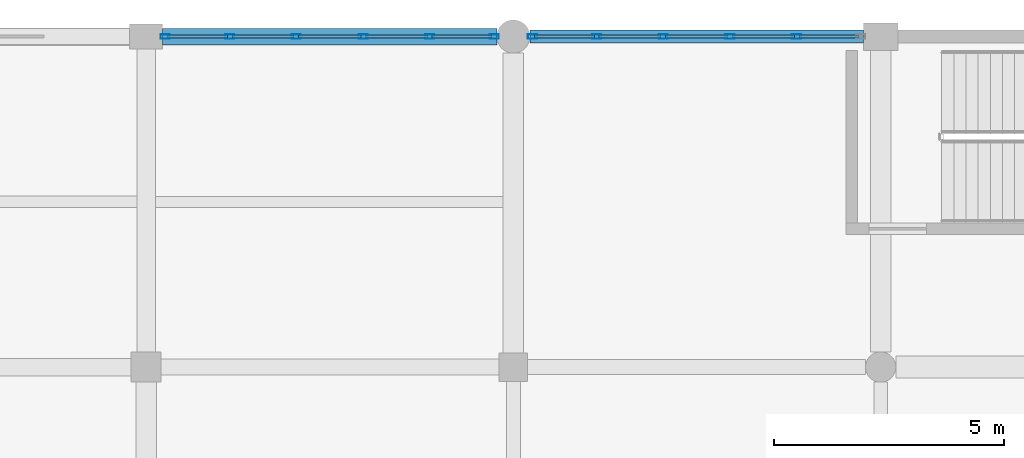
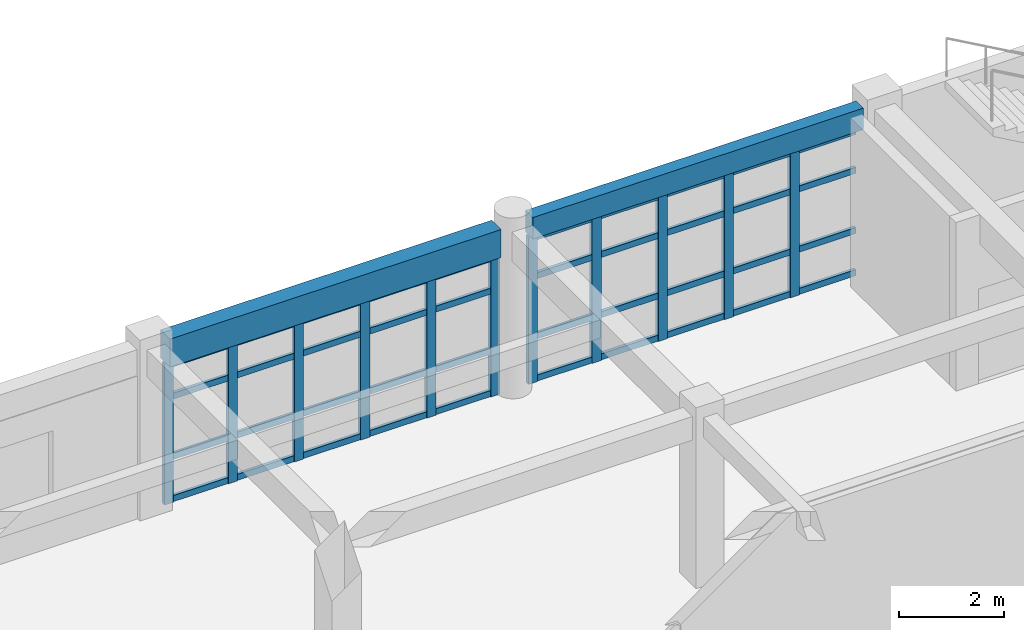
# One storey, part 135 of 195: 51 members, 2 beams, 2 elements without a shape of their own.
"""IFC4 building model written with IfcOpenShell, lengths in metres."""

from ifc_helpers import new_model, si_unit, direction, frame, origin, origin_2d, place, context, subcontext, project, spatial, rectangle, hollow_rectangle, extrude, material, material_profile, profile_set, type_object, element, aggregate, save


model = new_model("IFC4")

# Units and contexts
model_context = context("Model", 3, precision=1e-05, world=origin(), true_north=direction((0.0, 1.0)))
body_context = subcontext(model_context, "Body", "Model", "MODEL_VIEW")
ifc_project = project(units=[si_unit("LENGTHUNIT", "METRE"), si_unit("AREAUNIT", "SQUARE_METRE"), si_unit("VOLUMEUNIT", "CUBIC_METRE"), si_unit("PLANEANGLEUNIT", "RADIAN"), si_unit("MASSUNIT", "GRAM", prefix="KILO")], contexts=[model_context])

# Site, building, storey
site_placement = place(None, origin())
site = spatial("IfcSite", under=ifc_project, at=site_placement, CompositionType="ELEMENT")
building_placement = place(site_placement, origin())
building = spatial("IfcBuilding", under=site, at=building_placement, Name="Kharva Crest Polytechnic", CompositionType="ELEMENT")
storey_placement = place(building_placement, frame((0.0, 0.0, 9.0)))
storey = spatial("IfcBuildingStorey", under=building, at=storey_placement, Name="L02", CompositionType="ELEMENT", Elevation=9.0)

# Curtain wall, members
ifc_material_1 = material(Name="Tempered insulated glass", Category="glass")
curtain_wall_type = type_object("IfcCurtainWallType", Name="CW-SYS-LIBRARY", PredefinedType="USERDEFINED", material=ifc_material_1)
curtain_wall_1_placement = place(storey_placement, origin())
curtain_wall_1 = element("IfcCurtainWall", 1, at=curtain_wall_1_placement, inside=storey, type_object=curtain_wall_type, Name="L02 Glazed Curtain Wall CW-116", ObjectType="CURTAIN WALL", PredefinedType="USERDEFINED")
ifc_material_2 = material(Name="Steel S355", Category="steel")
ifc_material_profile_1 = material_profile(ifc_material_2, hollow_rectangle(XDim=0.10009765625, YDim=0.199951171875, WallThickness=0.00634765625, at=origin_2d()), Name="RHS 200X100X6.3")
ifc_profile_set_1 = profile_set([ifc_material_profile_1], Name="Steel S355")
member_type_1 = type_object("IfcMemberType", Name="CWM-RHS200X100", PredefinedType="MULLION", material=ifc_profile_set_1)
member_1_placement = place(storey_placement, frame((142.968994140625, 122.0, 0.0), z_axis=(0.0, 0.0, 1.0), x_axis=(0.0, -1.0, 0.0)))
member_1 = element("IfcMember", 2, at=member_1_placement, type_object=member_type_1, Name="CW-116 mullion 2", PredefinedType="MULLION", context=body_context, shape_type="SweptSolid", body=[
    extrude(hollow_rectangle(XDim=0.10009765625, YDim=0.199951171875, WallThickness=0.00634765625, at=origin_2d()), origin(), (0.0, 0.0, 1.0), 3.419921875),
])
member_2_placement = place(storey_placement, frame((141.51806640625, 122.0, 0.0), z_axis=(0.0, 0.0, 1.0), x_axis=(0.0, -1.0, 0.0)))
member_2 = element("IfcMember", 3, at=member_2_placement, type_object=member_type_1, Name="CW-116 mullion 3", PredefinedType="MULLION", context=body_context, shape_type="SweptSolid", body=[
    extrude(hollow_rectangle(XDim=0.10009765625, YDim=0.199951171875, WallThickness=0.00634765625, at=origin_2d()), origin(), (0.0, 0.0, 1.0), 3.419921875),
])
member_3_placement = place(storey_placement, frame((140.06689453125, 122.0, 0.0), z_axis=(0.0, 0.0, 1.0), x_axis=(0.0, -1.0, 0.0)))
member_3 = element("IfcMember", 4, at=member_3_placement, type_object=member_type_1, Name="CW-116 mullion 4", PredefinedType="MULLION", context=body_context, shape_type="SweptSolid", body=[
    extrude(hollow_rectangle(XDim=0.10009765625, YDim=0.199951171875, WallThickness=0.00634765625, at=origin_2d()), origin(), (0.0, 0.0, 1.0), 3.419921875),
])
member_4_placement = place(storey_placement, frame((138.615966796875, 122.0, 0.0), z_axis=(0.0, 0.0, 1.0), x_axis=(0.0, -1.0, 0.0)))
member_4 = element("IfcMember", 5, at=member_4_placement, type_object=member_type_1, Name="CW-116 mullion 5", PredefinedType="MULLION", context=body_context, shape_type="SweptSolid", body=[
    extrude(hollow_rectangle(XDim=0.10009765625, YDim=0.199951171875, WallThickness=0.00634765625, at=origin_2d()), origin(), (0.0, 0.0, 1.0), 3.419921875),
])
member_5_placement = place(storey_placement, frame((137.215087890625, 122.0, 0.0), z_axis=(0.0, 0.0, 1.0), x_axis=(0.0, -1.0, 0.0)))
member_5 = element("IfcMember", 6, at=member_5_placement, type_object=member_type_1, Name="CW-116 mullion 6", PredefinedType="MULLION", context=body_context, shape_type="SweptSolid", body=[
    extrude(hollow_rectangle(XDim=0.10009765625, YDim=0.199951171875, WallThickness=0.00634765625, at=origin_2d()), origin(), (0.0, 0.0, 1.0), 3.419921875),
])

curtain_wall_2_placement = place(storey_placement, origin())
curtain_wall_2 = element("IfcCurtainWall", 7, at=curtain_wall_2_placement, inside=storey, type_object=curtain_wall_type, Name="L02 Glazed Curtain Wall CW-117", ObjectType="CURTAIN WALL", PredefinedType="USERDEFINED")
member_6_placement = place(storey_placement, frame((136.385009765625, 122.0, 0.0), z_axis=(0.0, 0.0, 1.0), x_axis=(0.0, -1.0, 0.0)))
member_6 = element("IfcMember", 8, at=member_6_placement, type_object=member_type_1, Name="CW-117 mullion 1", PredefinedType="MULLION", context=body_context, shape_type="SweptSolid", body=[
    extrude(hollow_rectangle(XDim=0.10009765625, YDim=0.199951171875, WallThickness=0.00634765625, at=origin_2d()), origin(), (0.0, 0.0, 1.0), 3.27001953125),
])
member_7_placement = place(storey_placement, frame((134.98095703125, 122.0, 0.0), z_axis=(0.0, 0.0, 1.0), x_axis=(0.0, -1.0, 0.0)))
member_7 = element("IfcMember", 9, at=member_7_placement, type_object=member_type_1, Name="CW-117 mullion 2", PredefinedType="MULLION", context=body_context, shape_type="SweptSolid", body=[
    extrude(hollow_rectangle(XDim=0.10009765625, YDim=0.199951171875, WallThickness=0.00634765625, at=origin_2d()), origin(), (0.0, 0.0, 1.0), 3.27001953125),
])
member_8_placement = place(storey_placement, frame((133.527099609375, 122.0, 0.0), z_axis=(0.0, 0.0, 1.0), x_axis=(0.0, -1.0, 0.0)))
member_8 = element("IfcMember", 10, at=member_8_placement, type_object=member_type_1, Name="CW-117 mullion 3", PredefinedType="MULLION", context=body_context, shape_type="SweptSolid", body=[
    extrude(hollow_rectangle(XDim=0.10009765625, YDim=0.199951171875, WallThickness=0.00634765625, at=origin_2d()), origin(), (0.0, 0.0, 1.0), 3.27001953125),
])
member_9_placement = place(storey_placement, frame((132.072998046875, 122.0, 0.0), z_axis=(0.0, 0.0, 1.0), x_axis=(0.0, -1.0, 0.0)))
member_9 = element("IfcMember", 11, at=member_9_placement, type_object=member_type_1, Name="CW-117 mullion 4", PredefinedType="MULLION", context=body_context, shape_type="SweptSolid", body=[
    extrude(hollow_rectangle(XDim=0.10009765625, YDim=0.199951171875, WallThickness=0.00634765625, at=origin_2d()), origin(), (0.0, 0.0, 1.0), 3.27001953125),
])
member_10_placement = place(storey_placement, frame((130.618896484375, 122.0, 0.0), z_axis=(0.0, 0.0, 1.0), x_axis=(0.0, -1.0, 0.0)))
member_10 = element("IfcMember", 12, at=member_10_placement, type_object=member_type_1, Name="CW-117 mullion 5", PredefinedType="MULLION", context=body_context, shape_type="SweptSolid", body=[
    extrude(hollow_rectangle(XDim=0.10009765625, YDim=0.199951171875, WallThickness=0.00634765625, at=origin_2d()), origin(), (0.0, 0.0, 1.0), 3.27001953125),
])
member_11_placement = place(storey_placement, frame((129.215087890625, 122.0, 0.0), z_axis=(0.0, 0.0, 1.0), x_axis=(0.0, -1.0, 0.0)))
member_11 = element("IfcMember", 13, at=member_11_placement, type_object=member_type_1, Name="CW-117 mullion 6", PredefinedType="MULLION", context=body_context, shape_type="SweptSolid", body=[
    extrude(hollow_rectangle(XDim=0.10009765625, YDim=0.199951171875, WallThickness=0.00634765625, at=origin_2d()), origin(), (0.0, 0.0, 1.0), 3.27001953125),
])

# Member
ifc_material_profile_2 = material_profile(ifc_material_2, hollow_rectangle(XDim=0.070068359375, YDim=0.139892578125, WallThickness=0.00390625, at=origin_2d()), Name="RHS 140X70X4.0")
ifc_profile_set_2 = profile_set([ifc_material_profile_2], Name="Steel S355")
member_type_2 = type_object("IfcMemberType", Name="CWT-RHS140X70", PredefinedType="USERDEFINED", material=ifc_profile_set_2)
member_12_placement = place(storey_placement, frame((144.320068359375, 122.0, 0.070068359375), z_axis=(-1.0, 0.0, 0.0), x_axis=(0.0, -1.0, 0.0)))
member_12 = element("IfcMember", 14, at=member_12_placement, type_object=member_type_2, Name="CW-116 transom 1.1", ObjectType="TRANSOM", PredefinedType="USERDEFINED", context=body_context, shape_type="SweptSolid", body=[
    extrude(hollow_rectangle(XDim=0.070068359375, YDim=0.139892578125, WallThickness=0.00390625, at=origin_2d()), origin(), (0.0, 0.0, 1.0), 1.301025390625),
])

member_13_placement = place(storey_placement, frame((144.320068359375, 122.0, 1.050048828125), z_axis=(-1.0, 0.0, 0.0), x_axis=(0.0, -1.0, 0.0)))
member_13 = element("IfcMember", 15, at=member_13_placement, type_object=member_type_2, Name="CW-116 transom 1.2", ObjectType="TRANSOM", PredefinedType="USERDEFINED", context=body_context, shape_type="SweptSolid", body=[
    extrude(hollow_rectangle(XDim=0.070068359375, YDim=0.139892578125, WallThickness=0.00390625, at=origin_2d()), origin(), (0.0, 0.0, 1.0), 1.301025390625),
])

member_14_placement = place(storey_placement, frame((144.320068359375, 122.0, 2.449951171875), z_axis=(-1.0, 0.0, 0.0), x_axis=(0.0, -1.0, 0.0)))
member_14 = element("IfcMember", 16, at=member_14_placement, type_object=member_type_2, Name="CW-116 transom 1.3", ObjectType="TRANSOM", PredefinedType="USERDEFINED", context=body_context, shape_type="SweptSolid", body=[
    extrude(hollow_rectangle(XDim=0.070068359375, YDim=0.139892578125, WallThickness=0.00390625, at=origin_2d()), origin(), (0.0, 0.0, 1.0), 1.301025390625),
])

member_15_placement = place(storey_placement, frame((144.320068359375, 122.0, 3.35009765625), z_axis=(-1.0, 0.0, 0.0), x_axis=(0.0, -1.0, 0.0)))
member_15 = element("IfcMember", 17, at=member_15_placement, type_object=member_type_2, Name="CW-116 transom 1.4", ObjectType="TRANSOM", PredefinedType="USERDEFINED", context=body_context, shape_type="SweptSolid", body=[
    extrude(hollow_rectangle(XDim=0.070068359375, YDim=0.139892578125, WallThickness=0.00390625, at=origin_2d()), origin(), (0.0, 0.0, 1.0), 1.301025390625),
])

member_16_placement = place(storey_placement, frame((142.9189453125, 122.0, 0.070068359375), z_axis=(-1.0, 0.0, 0.0), x_axis=(0.0, -1.0, 0.0)))
member_16 = element("IfcMember", 18, at=member_16_placement, type_object=member_type_2, Name="CW-116 transom 2.1", ObjectType="TRANSOM", PredefinedType="USERDEFINED", context=body_context, shape_type="SweptSolid", body=[
    extrude(hollow_rectangle(XDim=0.070068359375, YDim=0.139892578125, WallThickness=0.00390625, at=origin_2d()), origin(), (0.0, 0.0, 1.0), 1.350830078125),
])

member_17_placement = place(storey_placement, frame((142.9189453125, 122.0, 1.050048828125), z_axis=(-1.0, 0.0, 0.0), x_axis=(0.0, -1.0, 0.0)))
member_17 = element("IfcMember", 19, at=member_17_placement, type_object=member_type_2, Name="CW-116 transom 2.2", ObjectType="TRANSOM", PredefinedType="USERDEFINED", context=body_context, shape_type="SweptSolid", body=[
    extrude(hollow_rectangle(XDim=0.070068359375, YDim=0.139892578125, WallThickness=0.00390625, at=origin_2d()), origin(), (0.0, 0.0, 1.0), 1.350830078125),
])

member_18_placement = place(storey_placement, frame((142.9189453125, 122.0, 2.449951171875), z_axis=(-1.0, 0.0, 0.0), x_axis=(0.0, -1.0, 0.0)))
member_18 = element("IfcMember", 20, at=member_18_placement, type_object=member_type_2, Name="CW-116 transom 2.3", ObjectType="TRANSOM", PredefinedType="USERDEFINED", context=body_context, shape_type="SweptSolid", body=[
    extrude(hollow_rectangle(XDim=0.070068359375, YDim=0.139892578125, WallThickness=0.00390625, at=origin_2d()), origin(), (0.0, 0.0, 1.0), 1.350830078125),
])

member_19_placement = place(storey_placement, frame((142.9189453125, 122.0, 3.35009765625), z_axis=(-1.0, 0.0, 0.0), x_axis=(0.0, -1.0, 0.0)))
member_19 = element("IfcMember", 21, at=member_19_placement, type_object=member_type_2, Name="CW-116 transom 2.4", ObjectType="TRANSOM", PredefinedType="USERDEFINED", context=body_context, shape_type="SweptSolid", body=[
    extrude(hollow_rectangle(XDim=0.070068359375, YDim=0.139892578125, WallThickness=0.00390625, at=origin_2d()), origin(), (0.0, 0.0, 1.0), 1.350830078125),
])

member_20_placement = place(storey_placement, frame((141.468017578125, 122.0, 0.070068359375), z_axis=(-1.0, 0.0, 0.0), x_axis=(0.0, -1.0, 0.0)))
member_20 = element("IfcMember", 22, at=member_20_placement, type_object=member_type_2, Name="CW-116 transom 3.1", ObjectType="TRANSOM", PredefinedType="USERDEFINED", context=body_context, shape_type="SweptSolid", body=[
    extrude(hollow_rectangle(XDim=0.070068359375, YDim=0.139892578125, WallThickness=0.00390625, at=origin_2d()), origin(), (0.0, 0.0, 1.0), 1.35107421875),
])

member_21_placement = place(storey_placement, frame((141.468017578125, 122.0, 1.050048828125), z_axis=(-1.0, 0.0, 0.0), x_axis=(0.0, -1.0, 0.0)))
member_21 = element("IfcMember", 23, at=member_21_placement, type_object=member_type_2, Name="CW-116 transom 3.2", ObjectType="TRANSOM", PredefinedType="USERDEFINED", context=body_context, shape_type="SweptSolid", body=[
    extrude(hollow_rectangle(XDim=0.070068359375, YDim=0.139892578125, WallThickness=0.00390625, at=origin_2d()), origin(), (0.0, 0.0, 1.0), 1.35107421875),
])

member_22_placement = place(storey_placement, frame((141.468017578125, 122.0, 2.449951171875), z_axis=(-1.0, 0.0, 0.0), x_axis=(0.0, -1.0, 0.0)))
member_22 = element("IfcMember", 24, at=member_22_placement, type_object=member_type_2, Name="CW-116 transom 3.3", ObjectType="TRANSOM", PredefinedType="USERDEFINED", context=body_context, shape_type="SweptSolid", body=[
    extrude(hollow_rectangle(XDim=0.070068359375, YDim=0.139892578125, WallThickness=0.00390625, at=origin_2d()), origin(), (0.0, 0.0, 1.0), 1.35107421875),
])

member_23_placement = place(storey_placement, frame((141.468017578125, 122.0, 3.35009765625), z_axis=(-1.0, 0.0, 0.0), x_axis=(0.0, -1.0, 0.0)))
member_23 = element("IfcMember", 25, at=member_23_placement, type_object=member_type_2, Name="CW-116 transom 3.4", ObjectType="TRANSOM", PredefinedType="USERDEFINED", context=body_context, shape_type="SweptSolid", body=[
    extrude(hollow_rectangle(XDim=0.070068359375, YDim=0.139892578125, WallThickness=0.00390625, at=origin_2d()), origin(), (0.0, 0.0, 1.0), 1.35107421875),
])

member_24_placement = place(storey_placement, frame((140.01708984375, 122.0, 0.070068359375), z_axis=(-1.0, 0.0, 0.0), x_axis=(0.0, -1.0, 0.0)))
member_24 = element("IfcMember", 26, at=member_24_placement, type_object=member_type_2, Name="CW-116 transom 4.1", ObjectType="TRANSOM", PredefinedType="USERDEFINED", context=body_context, shape_type="SweptSolid", body=[
    extrude(hollow_rectangle(XDim=0.070068359375, YDim=0.139892578125, WallThickness=0.00390625, at=origin_2d()), origin(), (0.0, 0.0, 1.0), 1.35107421875),
])

member_25_placement = place(storey_placement, frame((140.01708984375, 122.0, 1.050048828125), z_axis=(-1.0, 0.0, 0.0), x_axis=(0.0, -1.0, 0.0)))
member_25 = element("IfcMember", 27, at=member_25_placement, type_object=member_type_2, Name="CW-116 transom 4.2", ObjectType="TRANSOM", PredefinedType="USERDEFINED", context=body_context, shape_type="SweptSolid", body=[
    extrude(hollow_rectangle(XDim=0.070068359375, YDim=0.139892578125, WallThickness=0.00390625, at=origin_2d()), origin(), (0.0, 0.0, 1.0), 1.35107421875),
])

member_26_placement = place(storey_placement, frame((140.01708984375, 122.0, 2.449951171875), z_axis=(-1.0, 0.0, 0.0), x_axis=(0.0, -1.0, 0.0)))
member_26 = element("IfcMember", 28, at=member_26_placement, type_object=member_type_2, Name="CW-116 transom 4.3", ObjectType="TRANSOM", PredefinedType="USERDEFINED", context=body_context, shape_type="SweptSolid", body=[
    extrude(hollow_rectangle(XDim=0.070068359375, YDim=0.139892578125, WallThickness=0.00390625, at=origin_2d()), origin(), (0.0, 0.0, 1.0), 1.35107421875),
])

member_27_placement = place(storey_placement, frame((140.01708984375, 122.0, 3.35009765625), z_axis=(-1.0, 0.0, 0.0), x_axis=(0.0, -1.0, 0.0)))
member_27 = element("IfcMember", 29, at=member_27_placement, type_object=member_type_2, Name="CW-116 transom 4.4", ObjectType="TRANSOM", PredefinedType="USERDEFINED", context=body_context, shape_type="SweptSolid", body=[
    extrude(hollow_rectangle(XDim=0.070068359375, YDim=0.139892578125, WallThickness=0.00390625, at=origin_2d()), origin(), (0.0, 0.0, 1.0), 1.35107421875),
])

member_28_placement = place(storey_placement, frame((138.56591796875, 122.0, 0.070068359375), z_axis=(-1.0, 0.0, 0.0), x_axis=(0.0, -1.0, 0.0)))
member_28 = element("IfcMember", 30, at=member_28_placement, type_object=member_type_2, Name="CW-116 transom 5.1", ObjectType="TRANSOM", PredefinedType="USERDEFINED", context=body_context, shape_type="SweptSolid", body=[
    extrude(hollow_rectangle(XDim=0.070068359375, YDim=0.139892578125, WallThickness=0.00390625, at=origin_2d()), origin(), (0.0, 0.0, 1.0), 1.301025390625),
])

member_29_placement = place(storey_placement, frame((138.56591796875, 122.0, 1.050048828125), z_axis=(-1.0, 0.0, 0.0), x_axis=(0.0, -1.0, 0.0)))
member_29 = element("IfcMember", 31, at=member_29_placement, type_object=member_type_2, Name="CW-116 transom 5.2", ObjectType="TRANSOM", PredefinedType="USERDEFINED", context=body_context, shape_type="SweptSolid", body=[
    extrude(hollow_rectangle(XDim=0.070068359375, YDim=0.139892578125, WallThickness=0.00390625, at=origin_2d()), origin(), (0.0, 0.0, 1.0), 1.301025390625),
])

member_30_placement = place(storey_placement, frame((138.56591796875, 122.0, 2.449951171875), z_axis=(-1.0, 0.0, 0.0), x_axis=(0.0, -1.0, 0.0)))
member_30 = element("IfcMember", 32, at=member_30_placement, type_object=member_type_2, Name="CW-116 transom 5.3", ObjectType="TRANSOM", PredefinedType="USERDEFINED", context=body_context, shape_type="SweptSolid", body=[
    extrude(hollow_rectangle(XDim=0.070068359375, YDim=0.139892578125, WallThickness=0.00390625, at=origin_2d()), origin(), (0.0, 0.0, 1.0), 1.301025390625),
])

member_31_placement = place(storey_placement, frame((138.56591796875, 122.0, 3.35009765625), z_axis=(-1.0, 0.0, 0.0), x_axis=(0.0, -1.0, 0.0)))
member_31 = element("IfcMember", 33, at=member_31_placement, type_object=member_type_2, Name="CW-116 transom 5.4", ObjectType="TRANSOM", PredefinedType="USERDEFINED", context=body_context, shape_type="SweptSolid", body=[
    extrude(hollow_rectangle(XDim=0.070068359375, YDim=0.139892578125, WallThickness=0.00390625, at=origin_2d()), origin(), (0.0, 0.0, 1.0), 1.301025390625),
])

aggregate(curtain_wall_1, [member_1, member_2, member_3, member_4, member_5, member_12, member_13, member_14, member_15, member_16, member_17, member_18, member_19, member_20, member_21, member_22, member_23, member_24, member_25, member_26, member_27, member_28, member_29, member_30, member_31])

member_32_placement = place(storey_placement, frame((136.3349609375, 122.0, 0.070068359375), z_axis=(-1.0, 0.0, 0.0), x_axis=(0.0, -1.0, 0.0)))
member_32 = element("IfcMember", 34, at=member_32_placement, type_object=member_type_2, Name="CW-117 transom 1.1", ObjectType="TRANSOM", PredefinedType="USERDEFINED", context=body_context, shape_type="SweptSolid", body=[
    extrude(hollow_rectangle(XDim=0.070068359375, YDim=0.139892578125, WallThickness=0.00390625, at=origin_2d()), origin(), (0.0, 0.0, 1.0), 1.303955078125),
])

member_33_placement = place(storey_placement, frame((136.3349609375, 122.0, 1.050048828125), z_axis=(-1.0, 0.0, 0.0), x_axis=(0.0, -1.0, 0.0)))
member_33 = element("IfcMember", 35, at=member_33_placement, type_object=member_type_2, Name="CW-117 transom 1.2", ObjectType="TRANSOM", PredefinedType="USERDEFINED", context=body_context, shape_type="SweptSolid", body=[
    extrude(hollow_rectangle(XDim=0.070068359375, YDim=0.139892578125, WallThickness=0.00390625, at=origin_2d()), origin(), (0.0, 0.0, 1.0), 1.303955078125),
])

member_34_placement = place(storey_placement, frame((136.3349609375, 122.0, 2.449951171875), z_axis=(-1.0, 0.0, 0.0), x_axis=(0.0, -1.0, 0.0)))
member_34 = element("IfcMember", 36, at=member_34_placement, type_object=member_type_2, Name="CW-117 transom 1.3", ObjectType="TRANSOM", PredefinedType="USERDEFINED", context=body_context, shape_type="SweptSolid", body=[
    extrude(hollow_rectangle(XDim=0.070068359375, YDim=0.139892578125, WallThickness=0.00390625, at=origin_2d()), origin(), (0.0, 0.0, 1.0), 1.303955078125),
])

member_35_placement = place(storey_placement, frame((136.3349609375, 122.0, 3.199951171875), z_axis=(-1.0, 0.0, 0.0), x_axis=(0.0, -1.0, 0.0)))
member_35 = element("IfcMember", 37, at=member_35_placement, type_object=member_type_2, Name="CW-117 transom 1.4", ObjectType="TRANSOM", PredefinedType="USERDEFINED", context=body_context, shape_type="SweptSolid", body=[
    extrude(hollow_rectangle(XDim=0.070068359375, YDim=0.139892578125, WallThickness=0.00390625, at=origin_2d()), origin(), (0.0, 0.0, 1.0), 1.303955078125),
])

member_36_placement = place(storey_placement, frame((134.930908203125, 122.0, 0.070068359375), z_axis=(-1.0, 0.0, 0.0), x_axis=(0.0, -1.0, 0.0)))
member_36 = element("IfcMember", 38, at=member_36_placement, type_object=member_type_2, Name="CW-117 transom 2.1", ObjectType="TRANSOM", PredefinedType="USERDEFINED", context=body_context, shape_type="SweptSolid", body=[
    extrude(hollow_rectangle(XDim=0.070068359375, YDim=0.139892578125, WallThickness=0.00390625, at=origin_2d()), origin(), (0.0, 0.0, 1.0), 1.35400390625),
])

member_37_placement = place(storey_placement, frame((134.930908203125, 122.0, 1.050048828125), z_axis=(-1.0, 0.0, 0.0), x_axis=(0.0, -1.0, 0.0)))
member_37 = element("IfcMember", 39, at=member_37_placement, type_object=member_type_2, Name="CW-117 transom 2.2", ObjectType="TRANSOM", PredefinedType="USERDEFINED", context=body_context, shape_type="SweptSolid", body=[
    extrude(hollow_rectangle(XDim=0.070068359375, YDim=0.139892578125, WallThickness=0.00390625, at=origin_2d()), origin(), (0.0, 0.0, 1.0), 1.35400390625),
])

member_38_placement = place(storey_placement, frame((134.930908203125, 122.0, 2.449951171875), z_axis=(-1.0, 0.0, 0.0), x_axis=(0.0, -1.0, 0.0)))
member_38 = element("IfcMember", 40, at=member_38_placement, type_object=member_type_2, Name="CW-117 transom 2.3", ObjectType="TRANSOM", PredefinedType="USERDEFINED", context=body_context, shape_type="SweptSolid", body=[
    extrude(hollow_rectangle(XDim=0.070068359375, YDim=0.139892578125, WallThickness=0.00390625, at=origin_2d()), origin(), (0.0, 0.0, 1.0), 1.35400390625),
])

member_39_placement = place(storey_placement, frame((134.930908203125, 122.0, 3.199951171875), z_axis=(-1.0, 0.0, 0.0), x_axis=(0.0, -1.0, 0.0)))
member_39 = element("IfcMember", 41, at=member_39_placement, type_object=member_type_2, Name="CW-117 transom 2.4", ObjectType="TRANSOM", PredefinedType="USERDEFINED", context=body_context, shape_type="SweptSolid", body=[
    extrude(hollow_rectangle(XDim=0.070068359375, YDim=0.139892578125, WallThickness=0.00390625, at=origin_2d()), origin(), (0.0, 0.0, 1.0), 1.35400390625),
])

member_40_placement = place(storey_placement, frame((133.47705078125, 122.0, 0.070068359375), z_axis=(-1.0, 0.0, 0.0), x_axis=(0.0, -1.0, 0.0)))
member_40 = element("IfcMember", 42, at=member_40_placement, type_object=member_type_2, Name="CW-117 transom 3.1", ObjectType="TRANSOM", PredefinedType="USERDEFINED", context=body_context, shape_type="SweptSolid", body=[
    extrude(hollow_rectangle(XDim=0.070068359375, YDim=0.139892578125, WallThickness=0.00390625, at=origin_2d()), origin(), (0.0, 0.0, 1.0), 1.35400390625),
])

member_41_placement = place(storey_placement, frame((133.47705078125, 122.0, 1.050048828125), z_axis=(-1.0, 0.0, 0.0), x_axis=(0.0, -1.0, 0.0)))
member_41 = element("IfcMember", 43, at=member_41_placement, type_object=member_type_2, Name="CW-117 transom 3.2", ObjectType="TRANSOM", PredefinedType="USERDEFINED", context=body_context, shape_type="SweptSolid", body=[
    extrude(hollow_rectangle(XDim=0.070068359375, YDim=0.139892578125, WallThickness=0.00390625, at=origin_2d()), origin(), (0.0, 0.0, 1.0), 1.35400390625),
])

member_42_placement = place(storey_placement, frame((133.47705078125, 122.0, 2.449951171875), z_axis=(-1.0, 0.0, 0.0), x_axis=(0.0, -1.0, 0.0)))
member_42 = element("IfcMember", 44, at=member_42_placement, type_object=member_type_2, Name="CW-117 transom 3.3", ObjectType="TRANSOM", PredefinedType="USERDEFINED", context=body_context, shape_type="SweptSolid", body=[
    extrude(hollow_rectangle(XDim=0.070068359375, YDim=0.139892578125, WallThickness=0.00390625, at=origin_2d()), origin(), (0.0, 0.0, 1.0), 1.35400390625),
])

member_43_placement = place(storey_placement, frame((133.47705078125, 122.0, 3.199951171875), z_axis=(-1.0, 0.0, 0.0), x_axis=(0.0, -1.0, 0.0)))
member_43 = element("IfcMember", 45, at=member_43_placement, type_object=member_type_2, Name="CW-117 transom 3.4", ObjectType="TRANSOM", PredefinedType="USERDEFINED", context=body_context, shape_type="SweptSolid", body=[
    extrude(hollow_rectangle(XDim=0.070068359375, YDim=0.139892578125, WallThickness=0.00390625, at=origin_2d()), origin(), (0.0, 0.0, 1.0), 1.35400390625),
])

member_44_placement = place(storey_placement, frame((132.02294921875, 122.0, 0.070068359375), z_axis=(-1.0, 0.0, 0.0), x_axis=(0.0, -1.0, 0.0)))
member_44 = element("IfcMember", 46, at=member_44_placement, type_object=member_type_2, Name="CW-117 transom 4.1", ObjectType="TRANSOM", PredefinedType="USERDEFINED", context=body_context, shape_type="SweptSolid", body=[
    extrude(hollow_rectangle(XDim=0.070068359375, YDim=0.139892578125, WallThickness=0.00390625, at=origin_2d()), origin(), (0.0, 0.0, 1.0), 1.35400390625),
])

member_45_placement = place(storey_placement, frame((132.02294921875, 122.0, 1.050048828125), z_axis=(-1.0, 0.0, 0.0), x_axis=(0.0, -1.0, 0.0)))
member_45 = element("IfcMember", 47, at=member_45_placement, type_object=member_type_2, Name="CW-117 transom 4.2", ObjectType="TRANSOM", PredefinedType="USERDEFINED", context=body_context, shape_type="SweptSolid", body=[
    extrude(hollow_rectangle(XDim=0.070068359375, YDim=0.139892578125, WallThickness=0.00390625, at=origin_2d()), origin(), (0.0, 0.0, 1.0), 1.35400390625),
])

member_46_placement = place(storey_placement, frame((132.02294921875, 122.0, 2.449951171875), z_axis=(-1.0, 0.0, 0.0), x_axis=(0.0, -1.0, 0.0)))
member_46 = element("IfcMember", 48, at=member_46_placement, type_object=member_type_2, Name="CW-117 transom 4.3", ObjectType="TRANSOM", PredefinedType="USERDEFINED", context=body_context, shape_type="SweptSolid", body=[
    extrude(hollow_rectangle(XDim=0.070068359375, YDim=0.139892578125, WallThickness=0.00390625, at=origin_2d()), origin(), (0.0, 0.0, 1.0), 1.35400390625),
])

member_47_placement = place(storey_placement, frame((132.02294921875, 122.0, 3.199951171875), z_axis=(-1.0, 0.0, 0.0), x_axis=(0.0, -1.0, 0.0)))
member_47 = element("IfcMember", 49, at=member_47_placement, type_object=member_type_2, Name="CW-117 transom 4.4", ObjectType="TRANSOM", PredefinedType="USERDEFINED", context=body_context, shape_type="SweptSolid", body=[
    extrude(hollow_rectangle(XDim=0.070068359375, YDim=0.139892578125, WallThickness=0.00390625, at=origin_2d()), origin(), (0.0, 0.0, 1.0), 1.35400390625),
])

member_48_placement = place(storey_placement, frame((130.569091796875, 122.0, 0.070068359375), z_axis=(-1.0, 0.0, 0.0), x_axis=(0.0, -1.0, 0.0)))
member_48 = element("IfcMember", 50, at=member_48_placement, type_object=member_type_2, Name="CW-117 transom 5.1", ObjectType="TRANSOM", PredefinedType="USERDEFINED", context=body_context, shape_type="SweptSolid", body=[
    extrude(hollow_rectangle(XDim=0.070068359375, YDim=0.139892578125, WallThickness=0.00390625, at=origin_2d()), origin(), (0.0, 0.0, 1.0), 1.30419921875),
])

member_49_placement = place(storey_placement, frame((130.569091796875, 122.0, 1.050048828125), z_axis=(-1.0, 0.0, 0.0), x_axis=(0.0, -1.0, 0.0)))
member_49 = element("IfcMember", 51, at=member_49_placement, type_object=member_type_2, Name="CW-117 transom 5.2", ObjectType="TRANSOM", PredefinedType="USERDEFINED", context=body_context, shape_type="SweptSolid", body=[
    extrude(hollow_rectangle(XDim=0.070068359375, YDim=0.139892578125, WallThickness=0.00390625, at=origin_2d()), origin(), (0.0, 0.0, 1.0), 1.30419921875),
])

member_50_placement = place(storey_placement, frame((130.569091796875, 122.0, 2.449951171875), z_axis=(-1.0, 0.0, 0.0), x_axis=(0.0, -1.0, 0.0)))
member_50 = element("IfcMember", 52, at=member_50_placement, type_object=member_type_2, Name="CW-117 transom 5.3", ObjectType="TRANSOM", PredefinedType="USERDEFINED", context=body_context, shape_type="SweptSolid", body=[
    extrude(hollow_rectangle(XDim=0.070068359375, YDim=0.139892578125, WallThickness=0.00390625, at=origin_2d()), origin(), (0.0, 0.0, 1.0), 1.30419921875),
])

member_51_placement = place(storey_placement, frame((130.569091796875, 122.0, 3.199951171875), z_axis=(-1.0, 0.0, 0.0), x_axis=(0.0, -1.0, 0.0)))
member_51 = element("IfcMember", 53, at=member_51_placement, type_object=member_type_2, Name="CW-117 transom 5.4", ObjectType="TRANSOM", PredefinedType="USERDEFINED", context=body_context, shape_type="SweptSolid", body=[
    extrude(hollow_rectangle(XDim=0.070068359375, YDim=0.139892578125, WallThickness=0.00390625, at=origin_2d()), origin(), (0.0, 0.0, 1.0), 1.30419921875),
])

aggregate(curtain_wall_2, [member_6, member_7, member_8, member_9, member_10, member_11, member_32, member_33, member_34, member_35, member_36, member_37, member_38, member_39, member_40, member_41, member_42, member_43, member_44, member_45, member_46, member_47, member_48, member_49, member_50, member_51])

# Beams
ifc_material_3 = material(Name="Concrete C35/45", Category="concrete")
ifc_material_profile_3 = material_profile(ifc_material_3, rectangle(XDim=0.280029296875, YDim=0.5, at=origin_2d()), Name="RECT 280 X 500")
ifc_profile_set_3 = profile_set([ifc_material_profile_3], Name="Concrete C35/45")
beam_type_1 = type_object("IfcBeamType", Name="SP-RC-280X500", PredefinedType="SPANDREL", material=ifc_profile_set_3)
beam_1_placement = place(storey_placement, frame((137.159912109375, 122.0, 3.669921875), z_axis=(1.0, 0.0, 0.0), x_axis=(0.0, 1.0, 0.0)))
element("IfcBeam", 54, at=beam_1_placement, inside=storey, type_object=beam_type_1, Name="L02 Beam S/18-19", PredefinedType="SPANDREL", context=body_context, shape_type="SweptSolid", body=[
    extrude(rectangle(XDim=0.280029296875, YDim=0.5, at=origin_2d()), origin(), (0.0, 0.0, 1.0), 7.26513671875),
])
ifc_material_profile_4 = material_profile(ifc_material_3, rectangle(XDim=0.360107421875, YDim=0.64990234375, at=origin_2d()), Name="RECT 360 X 650")
ifc_profile_set_4 = profile_set([ifc_material_profile_4], Name="Concrete C35/45")
beam_type_2 = type_object("IfcBeamType", Name="SP-RC-360X650", PredefinedType="SPANDREL", material=ifc_profile_set_4)
beam_2_placement = place(storey_placement, frame((129.159912109375, 122.0, 3.594970703125), z_axis=(1.0, 0.0, 0.0), x_axis=(0.0, 1.0, 0.0)))
element("IfcBeam", 55, at=beam_2_placement, inside=storey, type_object=beam_type_2, Name="L02 Beam S/17-18", PredefinedType="SPANDREL", context=body_context, shape_type="SweptSolid", body=[
    extrude(rectangle(XDim=0.360107421875, YDim=0.64990234375, at=origin_2d()), origin(), (0.0, 0.0, 1.0), 7.280029296875),
])

save(model, "model.ifc")
